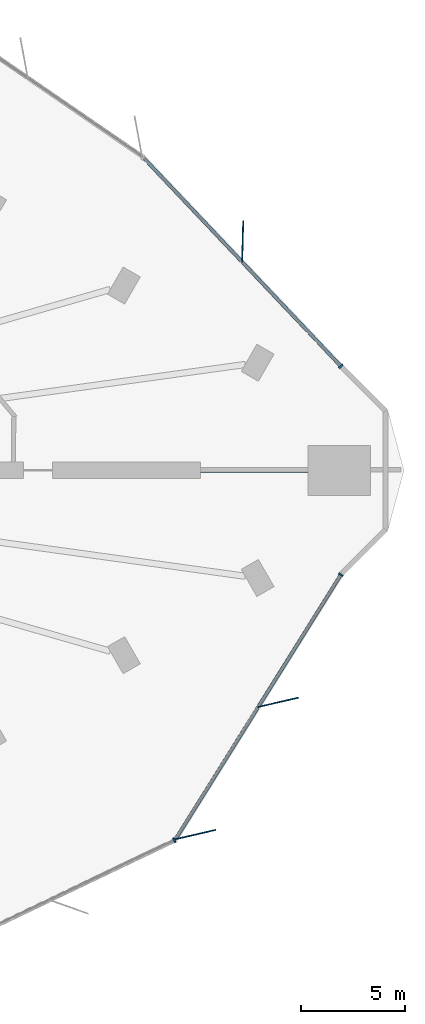
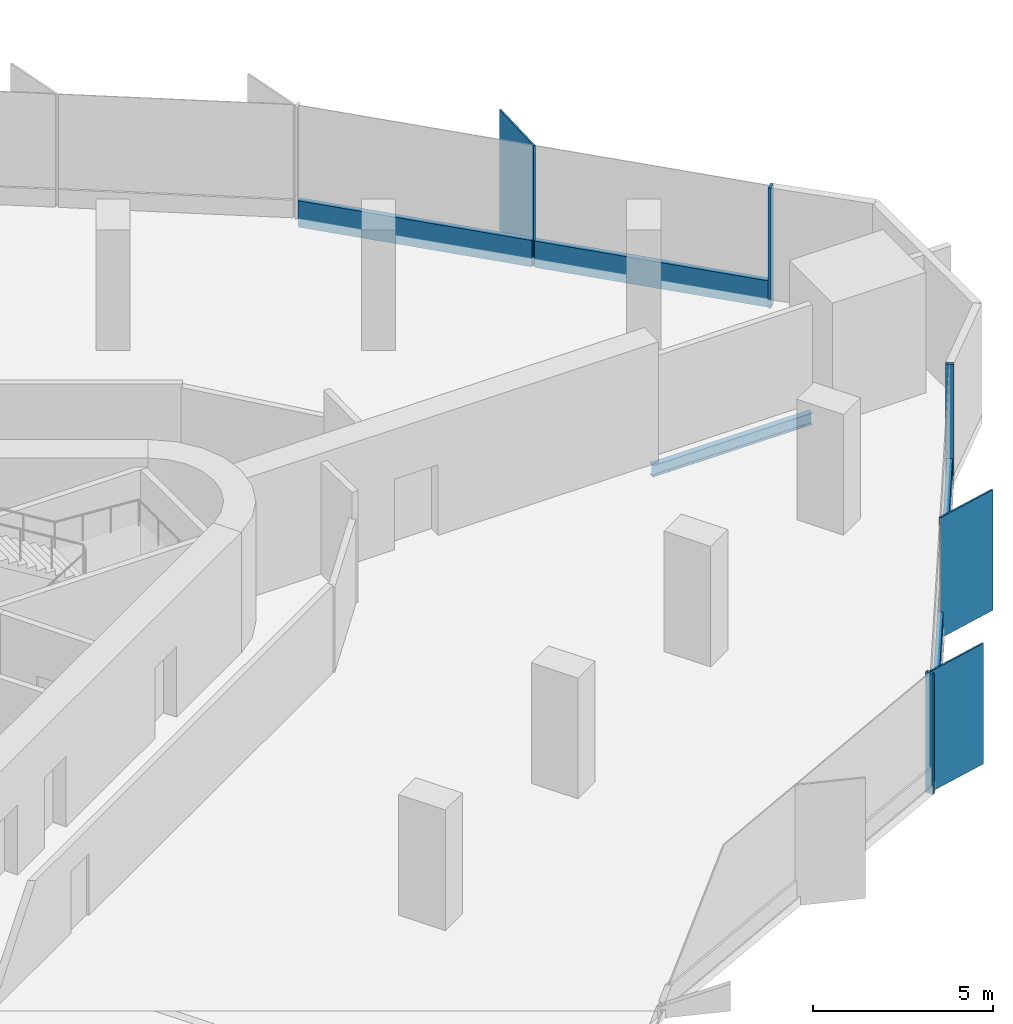
# One storey, part 6 of 15: 10 members, 1 beam, 3 elements without a shape of their own.
"""IFC4 building model written with IfcOpenShell, lengths in metres."""

from ifc_helpers import new_model, si_unit, direction, frame, origin, origin_2d, place, context, subcontext, project, spatial, rectangle, i_section, extrude, material, material_profile, profile_set, type_object, element, aggregate, save


model = new_model("IFC4")

# Units and contexts
model_context = context("Model", 3, precision=1e-05, world=origin(), true_north=direction((0.0, 1.0)))
body_context = subcontext(model_context, "Body", "Model", "MODEL_VIEW")
ifc_project = project(units=[si_unit("LENGTHUNIT", "METRE"), si_unit("AREAUNIT", "SQUARE_METRE"), si_unit("VOLUMEUNIT", "CUBIC_METRE"), si_unit("PLANEANGLEUNIT", "RADIAN"), si_unit("MASSUNIT", "GRAM", prefix="KILO")], contexts=[model_context])

# Site, building, storey
site_placement = place(None, origin())
site = spatial("IfcSite", under=ifc_project, at=site_placement, CompositionType="ELEMENT")
building_placement = place(site_placement, origin())
building = spatial("IfcBuilding", under=site, at=building_placement, Name="Tanit Gate Tower", CompositionType="ELEMENT")
storey_placement = place(building_placement, frame((0.0, 0.0, 102.89990234375)))
storey = spatial("IfcBuildingStorey", under=building, at=storey_placement, Name="L21", CompositionType="ELEMENT", Elevation=102.89990234375)

# Curtain wall, member
ifc_material_1 = material(Name="Aluminium bronze anodised and glass", Category="aluminium")
curtain_wall_type = type_object("IfcCurtainWallType", Name="Curtain wall typical low", PredefinedType="NOTDEFINED", material=ifc_material_1)
curtain_wall_1_placement = place(storey_placement, origin())
curtain_wall_1 = element("IfcCurtainWall", 1, at=curtain_wall_1_placement, inside=storey, type_object=curtain_wall_type, Name="Curtain wall L21 NE1", PredefinedType="NOTDEFINED")
ifc_material_2 = material(Name="Aluminium bronze anodised", Category="aluminium")
ifc_material_profile_1 = material_profile(ifc_material_2, rectangle(XDim=2.0, YDim=0.055908203125, at=origin_2d()), Name="56x2000 bronze fin mullion")
ifc_profile_set_1 = profile_set([ifc_material_profile_1], Name="Aluminium bronze anodised")
member_type_1 = type_object("IfcMemberType", Name="FIN MULLION 56x2000 bronze", PredefinedType="MULLION", material=ifc_profile_set_1)
member_1_placement = place(storey_placement, frame((36.398193359375, 10.951416015625, -0.2998046875), z_axis=(0.0, 0.0, 1.0), x_axis=(-0.027242100018, -0.999628865123, 0.0)))
member_1 = element("IfcMember", 2, at=member_1_placement, type_object=member_type_1, Name="Fin mullion L21 NE1.2", PredefinedType="MULLION", context=body_context, shape_type="SweptSolid", body=[
    extrude(rectangle(XDim=2.0, YDim=0.055908203125, at=origin_2d()), origin(), (0.0, 0.0, 1.0), 4.099853515625),
])

# Curtain wall, members
curtain_wall_2_placement = place(storey_placement, origin())
curtain_wall_2 = element("IfcCurtainWall", 3, at=curtain_wall_2_placement, inside=storey, type_object=curtain_wall_type, Name="Curtain wall L21 SE3", PredefinedType="NOTDEFINED")
member_2_placement = place(storey_placement, frame((34.138671875, -17.432861328125, -0.2998046875), z_axis=(0.0, 0.0, 1.0), x_axis=(-0.974389387498, -0.224867342072, 0.0)))
member_2 = element("IfcMember", 4, at=member_2_placement, type_object=member_type_1, Name="Fin mullion L21 SE3.1", PredefinedType="MULLION", context=body_context, shape_type="SweptSolid", body=[
    extrude(rectangle(XDim=2.0, YDim=0.055908203125, at=origin_2d()), origin(), (0.0, 0.0, 1.0), 4.099853515625),
])
member_3_placement = place(storey_placement, frame((38.09423828125, -11.10400390625, -0.2998046875), z_axis=(0.0, 0.0, 1.0), x_axis=(-0.974389387498, -0.224867342072, 0.0)))
member_3 = element("IfcMember", 5, at=member_3_placement, type_object=member_type_1, Name="Fin mullion L21 SE3.2", PredefinedType="MULLION", context=body_context, shape_type="SweptSolid", body=[
    extrude(rectangle(XDim=2.0, YDim=0.055908203125, at=origin_2d()), origin(), (0.0, 0.0, 1.0), 4.099853515625),
])

# Member
ifc_material_3 = material(Name="Aluminium bronze anodised", Category="aluminium")
ifc_material_profile_2 = material_profile(ifc_material_3, rectangle(XDim=0.239990234375, YDim=0.080078125, at=origin_2d()), Name="80x240 bronze mullion")
ifc_profile_set_2 = profile_set([ifc_material_profile_2], Name="Aluminium bronze anodised")
member_type_2 = type_object("IfcMemberType", Name="Mullion 80x240 typical low", PredefinedType="MULLION", material=ifc_profile_set_2)
member_4_placement = place(storey_placement, frame((41.099609375, 4.9814453125, -0.2998046875), z_axis=(0.0, 0.0, 1.0), x_axis=(-0.726107422855, -0.687581275541, 0.0)))
member_4 = element("IfcMember", 6, at=member_4_placement, type_object=member_type_2, Name="Mullion L21 NE1.1", PredefinedType="MULLION", context=body_context, shape_type="SweptSolid", body=[
    extrude(rectangle(XDim=0.239990234375, YDim=0.080078125, at=origin_2d()), origin(), (0.0, 0.0, 1.0), 4.099853515625),
])

# Curtain wall, member
curtain_wall_3_placement = place(storey_placement, origin())
curtain_wall_3 = element("IfcCurtainWall", 7, at=curtain_wall_3_placement, inside=storey, type_object=curtain_wall_type, Name="Curtain wall L21 SE2", PredefinedType="NOTDEFINED")
member_5_placement = place(storey_placement, frame((33.129150390625, -17.703857421875, -0.2998046875), z_axis=(0.0, 0.0, 1.0), x_axis=(-0.431072811819, 0.902317145415, 0.0)))
member_5 = element("IfcMember", 8, at=member_5_placement, type_object=member_type_2, Name="Mullion L21 SE2.7", PredefinedType="MULLION", context=body_context, shape_type="SweptSolid", body=[
    extrude(rectangle(XDim=0.239990234375, YDim=0.080078125, at=origin_2d()), origin(), (0.0, 0.0, 1.0), 4.099853515625),
])
aggregate(curtain_wall_3, [member_5])

# Member
member_6_placement = place(storey_placement, frame((41.097412109375, -4.994873046875, -0.2998046875), z_axis=(0.0, 0.0, 1.0), x_axis=(-0.848002565863, 0.529992120969, 0.0)))
member_6 = element("IfcMember", 9, at=member_6_placement, type_object=member_type_2, Name="Mullion L21 SE3.3", PredefinedType="MULLION", context=body_context, shape_type="SweptSolid", body=[
    extrude(rectangle(XDim=0.239990234375, YDim=0.080078125, at=origin_2d()), origin(), (0.0, 0.0, 1.0), 4.099853515625),
])

# Beam
ifc_material_4 = material(Name="Steel S355", Category="steel")
ifc_material_profile_3 = material_profile(ifc_material_4, i_section(OverallWidth=0.179931640625, OverallDepth=0.39990234375, WebThickness=0.008544921875, FlangeThickness=0.013427734375, FilletRadius=0.02099609375, at=origin_2d()), Name="IPE 400")
ifc_profile_set_3 = profile_set([ifc_material_profile_3], Name="Steel S355")
beam_type = type_object("IfcBeamType", Name="RADIAL GIRDER IPE 400 S355", PredefinedType="BEAM", material=ifc_profile_set_3)
beam_placement = place(storey_placement, frame((39.520751953125, 0.0, -0.5), z_axis=(-1.0, 0.0, 0.0), x_axis=(0.0, -1.0, 0.0)))
element("IfcBeam", 10, at=beam_placement, inside=storey, type_object=beam_type, Name="RADIAL GIRDER", PredefinedType="BEAM", context=body_context, shape_type="SweptSolid", body=[
    extrude(i_section(OverallWidth=0.179931640625, OverallDepth=0.39990234375, WebThickness=0.008544921875, FlangeThickness=0.013427734375, FilletRadius=0.02099609375, at=origin_2d()), origin(), (0.0, 0.0, 1.0), 5.1298828125),
])

# Member
ifc_material_5 = material(Name="Aluminium bronze anodised", Category="aluminium")
ifc_material_profile_4 = material_profile(ifc_material_5, rectangle(XDim=0.159912109375, YDim=0.89990234375, at=origin_2d()), Name="160x900 bronze transom")
ifc_profile_set_4 = profile_set([ifc_material_profile_4], Name="Aluminium bronze anodised")
member_type_3 = type_object("IfcMemberType", Name="Transom 160x900 typical low", PredefinedType="USERDEFINED", material=ifc_profile_set_4)
member_7_placement = place(storey_placement, frame((41.072021484375, 5.010498046875, 0.150146484375), z_axis=(-0.687571252666, 0.7261169138, 0.0), x_axis=(-0.7261169138, -0.687571252666, 0.0)))
member_7 = element("IfcMember", 11, at=member_7_placement, type_object=member_type_3, Name="Transom L21 NE1.1", ObjectType="TRANSOM", PredefinedType="USERDEFINED", context=body_context, shape_type="SweptSolid", body=[
    extrude(rectangle(XDim=0.159912109375, YDim=0.89990234375, at=origin_2d()), origin(), (0.0, 0.0, 1.0), 6.796142578125),
])

member_8_placement = place(storey_placement, frame((36.34423828125, 10.00341796875, 0.150146484375), z_axis=(-0.687590192353, 0.726098979052, 0.0), x_axis=(-0.726098979052, -0.687590192353, 0.0)))
member_8 = element("IfcMember", 12, at=member_8_placement, type_object=member_type_3, Name="Transom L21 NE1.2", ObjectType="TRANSOM", PredefinedType="USERDEFINED", context=body_context, shape_type="SweptSolid", body=[
    extrude(rectangle(XDim=0.159912109375, YDim=0.89990234375, at=origin_2d()), origin(), (0.0, 0.0, 1.0), 6.79638671875),
])

aggregate(curtain_wall_1, [member_4, member_1, member_7, member_8])

member_9_placement = place(storey_placement, frame((33.207763671875, -17.61865234375, 0.150146484375), z_axis=(0.529995967696, 0.84800016169, 0.0), x_axis=(-0.84800016169, 0.529995967696, 0.0)))
member_9 = element("IfcMember", 13, at=member_9_placement, type_object=member_type_3, Name="Transom L21 SE3.1", ObjectType="TRANSOM", PredefinedType="USERDEFINED", context=body_context, shape_type="SweptSolid", body=[
    extrude(rectangle(XDim=0.159912109375, YDim=0.89990234375, at=origin_2d()), origin(), (0.0, 0.0, 1.0), 7.38330078125),
])

member_10_placement = place(storey_placement, frame((37.1630859375, -11.289794921875, 0.150146484375), z_axis=(0.529995967696, 0.84800016169, 0.0), x_axis=(-0.84800016169, 0.529995967696, 0.0)))
member_10 = element("IfcMember", 14, at=member_10_placement, type_object=member_type_3, Name="Transom L21 SE3.2", ObjectType="TRANSOM", PredefinedType="USERDEFINED", context=body_context, shape_type="SweptSolid", body=[
    extrude(rectangle(XDim=0.159912109375, YDim=0.89990234375, at=origin_2d()), origin(), (0.0, 0.0, 1.0), 7.38330078125),
])

aggregate(curtain_wall_2, [member_2, member_3, member_6, member_9, member_10])

save(model, "model.ifc")
